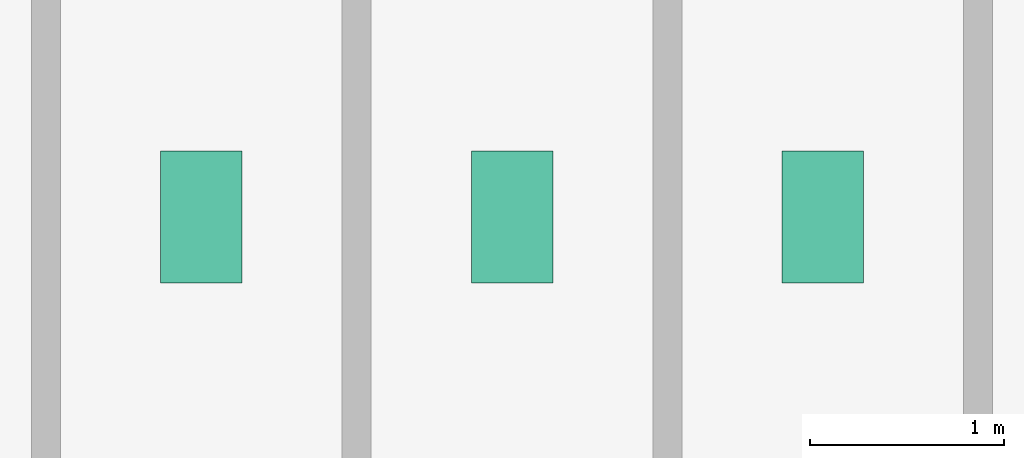
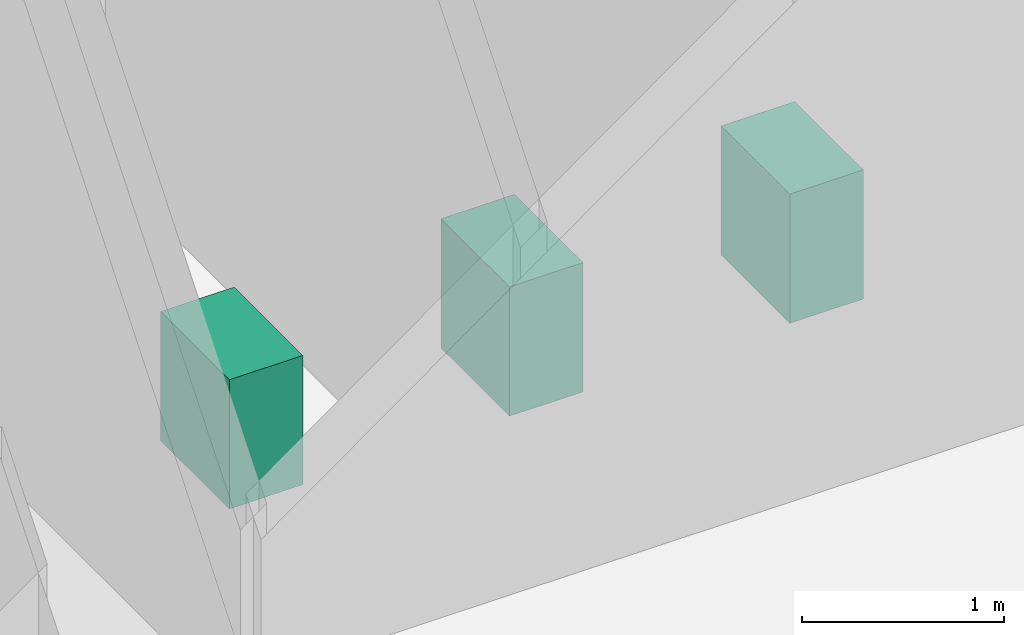
# One storey, part 25 of 25: 3 sanitary terminals.
"""IFC4 building model written with IfcOpenShell, lengths in metres."""

import ifcopenshell
import ifcopenshell.guid

model = None  # the IFC model being written
_history = None  # IfcOwnerHistory: only IFC2X3 demands one
_inside = {}  # id of a spatial element -> (the spatial element, [elements in it])
_under = {}  # id of a project, library or spatial element -> (it, [spatial elements below it])
_declared = {}  # id of a project -> (the project, [libraries it declares])
_typed = {}  # id of a type object -> (the type object, [elements of that type])
_made_of = {}  # id of a material, layer set ... -> (it, [elements and type objects made of it])


def new_model(schema):
    """Start an empty IFC model of exactly this schema.

    Asked for "IFC4X3", IfcOpenShell would pick the latest addendum, in which some entities
    have other attributes; the version numbers below select the first issue.
    IFC2X3 requires an IfcOwnerHistory on every rooted entity: one is made here for all.
    """
    global model, _history
    if schema == "IFC4X3":
        model = ifcopenshell.file(schema_version=(4, 3, 0, 0))
    else:
        model = ifcopenshell.file(schema=schema)
    _inside.clear()
    _under.clear()
    _declared.clear()
    _typed.clear()
    _made_of.clear()
    _history = None
    if model.schema == "IFC2X3":
        org = make("IfcOrganization", Name="unknown")
        user = make(
            "IfcPersonAndOrganization",
            ThePerson=make("IfcPerson", FamilyName="unknown"),
            TheOrganization=org,
        )
        app = make(
            "IfcApplication",
            ApplicationDeveloper=org,
            Version="unknown",
            ApplicationFullName="unknown",
            ApplicationIdentifier="unknown",
        )
        _history = make(
            "IfcOwnerHistory",
            OwningUser=user,
            OwningApplication=app,
            ChangeAction="ADDED",
            CreationDate=0,
        )
    return model


def make(cls, **values):
    """One entity of the class cls with the attributes given. An attribute that is None is left unset."""
    return model.create_entity(
        cls, **{name: value for name, value in values.items() if value is not None}
    )


def rooted(cls, **values):
    """An entity with a GlobalId (a new one), such as an element, a storey or a relation."""
    return make(cls, GlobalId=ifcopenshell.guid.new(), OwnerHistory=_history, **values)


def si_unit(unit_type, name, prefix=None):
    """IfcSIUnit, for example si_unit("LENGTHUNIT", "METRE", prefix="MILLI")."""
    return make("IfcSIUnit", UnitType=unit_type, Prefix=prefix, Name=name)


def derived_unit(unit_type, elements):
    """IfcDerivedUnit: a product of units, each with its exponent."""
    return make(
        "IfcDerivedUnit",
        Elements=[
            make("IfcDerivedUnitElement", Unit=unit, Exponent=power)
            for unit, power in elements
        ],
        UnitType=unit_type,
    )


def assignment(units):
    """IfcUnitAssignment: the units of a project."""
    return None if units is None else make("IfcUnitAssignment", Units=units)


def point(xyz):
    """IfcCartesianPoint."""
    return None if xyz is None else make("IfcCartesianPoint", Coordinates=xyz)


def direction(xyz):
    """IfcDirection."""
    return None if xyz is None else make("IfcDirection", DirectionRatios=xyz)


def frame(location, z_axis=None, x_axis=None):
    """IfcAxis2Placement3D, a coordinate frame: its origin and axes. An axis left out is left unset."""
    return make(
        "IfcAxis2Placement3D",
        Location=point(location),
        Axis=direction(z_axis),
        RefDirection=direction(x_axis),
    )


def frame_2d(location, x_axis=None):
    """IfcAxis2Placement2D, a coordinate frame in the plane: its origin and x axis."""
    return make(
        "IfcAxis2Placement2D", Location=point(location), RefDirection=direction(x_axis)
    )


def origin():
    """The frame at (0, 0, 0) with its axes left unset."""
    return frame((0.0, 0.0, 0.0))


def origin_2d():
    """The frame at (0, 0) in the plane with its x axis left unset."""
    return frame_2d((0.0, 0.0))


def place(relative_to, where):
    """IfcLocalPlacement: puts the frame where relative to a parent placement (None: the world)."""
    return make(
        "IfcLocalPlacement", PlacementRelTo=relative_to, RelativePlacement=where
    )


def context(
    kind, dimensions, precision=None, world=None, true_north=None, identifier=None
):
    """IfcGeometricRepresentationContext, for example the 3D "Model" context."""
    return make(
        "IfcGeometricRepresentationContext",
        ContextIdentifier=identifier,
        ContextType=kind,
        CoordinateSpaceDimension=dimensions,
        Precision=precision,
        WorldCoordinateSystem=world,
        TrueNorth=true_north,
    )


def subcontext(parent, identifier, kind, view, scale=None):
    """IfcGeometricRepresentationSubContext, for example "Body" below "Model"."""
    return make(
        "IfcGeometricRepresentationSubContext",
        ContextIdentifier=identifier,
        ContextType=kind,
        ParentContext=parent,
        TargetScale=scale,
        TargetView=view,
    )


def project(units=None, contexts=None):
    """IfcProject with its units and contexts."""
    return rooted(
        "IfcProject",
        Name="project",
        RepresentationContexts=contexts,
        UnitsInContext=assignment(units),
    )


def spatial(cls, under=None, at=None, **own):
    """A site, building, storey or space (cls), placed at a placement, below another one or the project."""
    s = rooted(cls, ObjectPlacement=at, **own)
    if under is not None:
        _under.setdefault(under.id(), (under, []))[1].append(s)
    return s


def profile(cls, at=None, kind="AREA", **sizes):
    """A parametric profile (cls). Its sizes go by their IFC names, for example OverallWidth=200.0."""
    return make(cls, ProfileType=kind, Position=at, **sizes)


def rectangle(**sizes):
    """IfcRectangleProfileDef."""
    return profile("IfcRectangleProfileDef", **sizes)


def extrude(swept, where, along, depth):
    """IfcExtrudedAreaSolid: the profile swept, set in the frame where, extruded along a direction by depth."""
    return make(
        "IfcExtrudedAreaSolid",
        SweptArea=swept,
        Position=where,
        ExtrudedDirection=direction(along),
        Depth=depth,
    )


def shape(context_of_items, identifier, shape_type, items):
    """IfcShapeRepresentation: the items that make up one representation, for example the "Body"."""
    return make(
        "IfcShapeRepresentation",
        ContextOfItems=context_of_items,
        RepresentationIdentifier=identifier,
        RepresentationType=shape_type,
        Items=items,
    )


def source(mapping_origin, context_of_items, identifier, shape_type, items):
    """IfcRepresentationMap: a shape defined once, which mapped items show again and again."""
    return make(
        "IfcRepresentationMap",
        MappingOrigin=mapping_origin,
        MappedRepresentation=shape(context_of_items, identifier, shape_type, items),
    )


def transform(
    local_origin,
    x_axis=None,
    y_axis=None,
    z_axis=None,
    scale=None,
    scale2=None,
    scale3=None,
    uniform=True,
):
    """IfcCartesianTransformationOperator3D, or its non-uniform kind. x_axis, y_axis, z_axis: its Axis1, 2, 3."""
    if uniform:
        return make(
            "IfcCartesianTransformationOperator3D",
            Axis1=direction(x_axis),
            Axis2=direction(y_axis),
            LocalOrigin=point(local_origin),
            Scale=scale,
            Axis3=direction(z_axis),
        )
    return make(
        "IfcCartesianTransformationOperator3DnonUniform",
        Axis1=direction(x_axis),
        Axis2=direction(y_axis),
        LocalOrigin=point(local_origin),
        Scale=scale,
        Axis3=direction(z_axis),
        Scale2=scale2,
        Scale3=scale3,
    )


def mapped(mapping_source, mapping_target):
    """IfcMappedItem: shows the shape of a source again, moved by a transform."""
    return make(
        "IfcMappedItem", MappingSource=mapping_source, MappingTarget=mapping_target
    )


def material(Name=None, Category=None):
    """IfcMaterial."""
    return make("IfcMaterial", Name=Name, Category=Category)


def made_of(thing, what):
    """Note that an element or type object is made of a material, layer set ...; save() writes the relation."""
    if what is not None:
        _made_of.setdefault(what.id(), (what, []))[1].append(thing)
    return thing


def type_object(cls, material=None, **own):
    """A type object (cls), such as IfcWallType, which elements share."""
    return made_of(rooted(cls, **own), material)


def element(
    cls,
    number,
    at=None,
    inside=None,
    cuts=None,
    type_object=None,
    material=None,
    context=None,
    identifier="Body",
    shape_type=None,
    held_by="IfcProductDefinitionShape",
    body=None,
    shapes=None,
    **own,
):
    """One element of the class cls, such as IfcWall. Its Tag is "e" and its number.

    at: its placement. inside: the storey or other place that contains it. cuts: it is an
    opening in that element (IfcRelVoidsElement). A single representation is given by context,
    identifier, shape_type and body (its items); several are given by shapes. held_by: the class
    of the entity that holds the representations. save() writes the other relations.
    """
    e = rooted(cls, Tag="e%d" % number, ObjectPlacement=at, **own)
    if body is not None:
        shapes = [shape(context, identifier, shape_type, body)]
    if shapes is not None:
        e.Representation = make(held_by, Representations=shapes)
    if inside is not None:
        _inside.setdefault(inside.id(), (inside, []))[1].append(e)
    if cuts is not None:
        rooted(
            "IfcRelVoidsElement", RelatingBuildingElement=cuts, RelatedOpeningElement=e
        )
    if type_object is not None:
        _typed.setdefault(type_object.id(), (type_object, []))[1].append(e)
    return made_of(e, material)


def aggregate(whole, parts):
    """IfcRelAggregates: a whole, such as a stair, and the parts it consists of."""
    return rooted("IfcRelAggregates", RelatingObject=whole, RelatedObjects=parts)


def save(model, path):
    """Write the relations noted so far, then the file.

    IfcRelAggregates (storeys below a building ...), IfcRelContainedInSpatialStructure (elements
    in a storey), IfcRelDefinesByType, IfcRelAssociatesMaterial and IfcRelDeclares: one each for
    every whole, place, type object, material and project.
    """
    for whole, parts in _under.values():
        aggregate(whole, parts)
    for where, things in _inside.values():
        rooted(
            "IfcRelContainedInSpatialStructure",
            RelatedElements=things,
            RelatingStructure=where,
        )
    for kind, things in _typed.values():
        rooted("IfcRelDefinesByType", RelatedObjects=things, RelatingType=kind)
    for what, things in _made_of.values():
        rooted("IfcRelAssociatesMaterial", RelatedObjects=things, RelatingMaterial=what)
    for by, libraries in _declared.values():
        rooted("IfcRelDeclares", RelatingContext=by, RelatedDefinitions=libraries)
    model.write(path)


model = new_model("IFC4")

# Units and contexts
model_context = context("Model", 3, precision=1e-05, world=origin(), true_north=direction((0.0, 1.0)))
body_context = subcontext(model_context, "Body", "Model", "MODEL_VIEW")
ifc_project = project(units=[si_unit("LENGTHUNIT", "METRE"), si_unit("AREAUNIT", "SQUARE_METRE"), si_unit("VOLUMEUNIT", "CUBIC_METRE"), si_unit("PLANEANGLEUNIT", "RADIAN"), si_unit("MASSUNIT", "GRAM", prefix="KILO"), derived_unit("THERMALTRANSMITTANCEUNIT", [(si_unit("POWERUNIT", "WATT"), 1), (si_unit("LENGTHUNIT", "METRE"), -2), (si_unit("THERMODYNAMICTEMPERATUREUNIT", "KELVIN"), -1)])], contexts=[model_context])

# Site, building, storey
site_placement = place(None, origin())
site = spatial("IfcSite", under=ifc_project, at=site_placement, CompositionType="ELEMENT")
building_placement = place(site_placement, origin())
building = spatial("IfcBuilding", under=site, at=building_placement, Name="Skarnbrae Concourse Arena and Tower", CompositionType="ELEMENT")
storey_placement = place(building_placement, frame((0.0, 0.0, 155.199951171875)))
storey = spatial("IfcBuildingStorey", under=building, at=storey_placement, Name="L39", CompositionType="ELEMENT", Elevation=155.199951171875)

# Sanitary terminals
ifc_material = material(Name="Vitreous china sanitaryware", Category="other")
sanitary_terminal_type = type_object("IfcSanitaryTerminalType", Name="SAN-WC-VITREOUS", PredefinedType="TOILETPAN", material=ifc_material)
shared_shape = source(origin(), body_context, "Body", "SweptSolid", [
    extrude(rectangle(XDim=0.419921875, YDim=0.679931640625, at=origin_2d()), origin(), (0.0, 0.0, 1.0), 0.780029296875),
])
for number, where, z_axis, x_axis, name in (
    (1, (35.0, 11.39990234375, 0.0), (0.0, 0.0, 1.0), (1.0, 0.0, 0.0), "L39 Washroom WC fixture 1"),
    (2, (36.60009765625, 11.39990234375, 0.0), (0.0, 0.0, 1.0), (1.0, 0.0, 0.0), "L39 Washroom WC fixture 2"),
    (3, (38.199951171875, 11.39990234375, 0.0), (0.0, 0.0, 1.0), (1.0, 0.0, 0.0), "L39 Washroom WC fixture 3"),
):
    element("IfcSanitaryTerminal", number, at=place(storey_placement, frame(where, z_axis=z_axis, x_axis=x_axis)), inside=storey, type_object=sanitary_terminal_type, Name=name, PredefinedType="TOILETPAN", context=body_context, shape_type="MappedRepresentation", body=[
        mapped(shared_shape, transform((0.0, 0.0, 0.0))),
    ])

save(model, "model.ifc")
